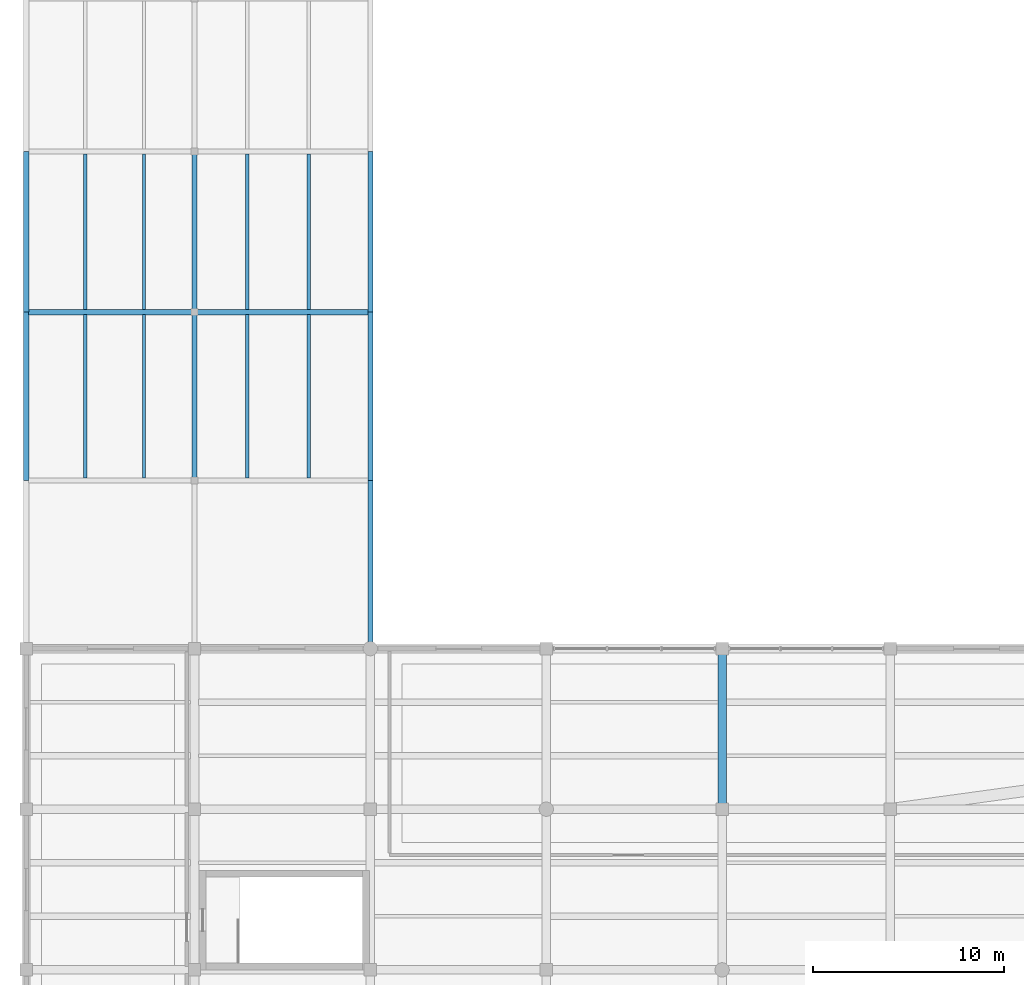
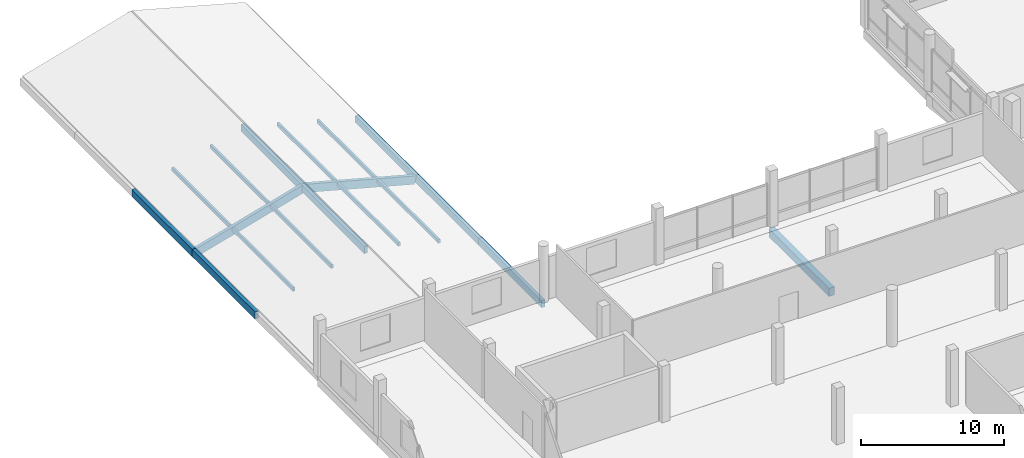
# One storey, part 27 of 71: 10 beams, 8 members.
"""IFC4 building model written with IfcOpenShell, lengths in metres."""

from ifc_helpers import new_model, si_unit, direction, frame, origin, origin_2d, place, context, subcontext, project, spatial, rectangle, extrude, material, material_profile, profile_set, type_object, element, save


model = new_model("IFC4")

# Units and contexts
model_context = context("Model", 3, precision=1e-05, world=origin(), true_north=direction((0.0, 1.0)))
body_context = subcontext(model_context, "Body", "Model", "MODEL_VIEW")
ifc_project = project(units=[si_unit("LENGTHUNIT", "METRE"), si_unit("AREAUNIT", "SQUARE_METRE"), si_unit("VOLUMEUNIT", "CUBIC_METRE"), si_unit("PLANEANGLEUNIT", "RADIAN"), si_unit("MASSUNIT", "GRAM", prefix="KILO")], contexts=[model_context])

# Site, building, storey
site_placement = place(None, origin())
site = spatial("IfcSite", under=ifc_project, at=site_placement, CompositionType="ELEMENT")
building_placement = place(site_placement, origin())
building = spatial("IfcBuilding", under=site, at=building_placement, Name="Meriwether Solvik Hall", CompositionType="ELEMENT")
storey_placement = place(building_placement, frame((0.0, 0.0, 5.10009765625)))
storey = spatial("IfcBuildingStorey", under=building, at=storey_placement, Name="L01", CompositionType="ELEMENT", Elevation=5.10009765625)

# Beams
ifc_material_1 = material(Name="Glulam Douglas-Fir 24F-V8 GL28h", Category="wood")
ifc_material_profile_1 = material_profile(ifc_material_1, rectangle(XDim=0.27294921875, YDim=0.610107421875, at=origin_2d()), Name="GLB-273X610")
ifc_profile_set_1 = profile_set([ifc_material_profile_1], Name="Glulam Douglas-Fir 24F-V8 GL28h")
beam_type_1 = type_object("IfcBeamType", Name="BM-GL-273X610", PredefinedType="SPANDREL", material=ifc_profile_set_1)
beam_1_placement = place(storey_placement, frame((5.199951171875, 84.0, -0.32421875), z_axis=(0.0, 1.0, 0.0), x_axis=(-1.0, 0.0, 0.0)))
element("IfcBeam", 1, at=beam_1_placement, inside=storey, type_object=beam_type_1, Name="Roof Tie Beam 1:J-K (L01)", PredefinedType="SPANDREL", context=body_context, shape_type="SweptSolid", body=[
    extrude(rectangle(XDim=0.27294921875, YDim=0.610107421875, at=origin_2d()), origin(), (0.0, 0.0, 1.0), 8.800048828125),
])
beam_2_placement = place(storey_placement, frame((5.199951171875, 92.800048828125, -0.32421875), z_axis=(0.0, 1.0, 0.0), x_axis=(-1.0, 0.0, 0.0)))
element("IfcBeam", 2, at=beam_2_placement, inside=storey, type_object=beam_type_1, Name="Roof Tie Beam 1:K-L (L01)", PredefinedType="SPANDREL", context=body_context, shape_type="SweptSolid", body=[
    extrude(rectangle(XDim=0.27294921875, YDim=0.610107421875, at=origin_2d()), origin(), (0.0, 0.0, 1.0), 8.39990234375),
])
beam_3_placement = place(storey_placement, frame((14.0, 84.0, 2.15576171875), z_axis=(0.0, 1.0, 0.0), x_axis=(-1.0, 0.0, 0.0)))
element("IfcBeam", 3, at=beam_3_placement, inside=storey, type_object=beam_type_1, Name="Roof Tie Beam 2:J-K (L01)", PredefinedType="SPANDREL", context=body_context, shape_type="SweptSolid", body=[
    extrude(rectangle(XDim=0.27294921875, YDim=0.610107421875, at=origin_2d()), origin(), (0.0, 0.0, 1.0), 8.800048828125),
])
beam_4_placement = place(storey_placement, frame((14.0, 92.800048828125, 2.15576171875), z_axis=(0.0, 1.0, 0.0), x_axis=(-1.0, 0.0, 0.0)))
element("IfcBeam", 4, at=beam_4_placement, inside=storey, type_object=beam_type_1, Name="Roof Tie Beam 2:K-L (L01)", PredefinedType="SPANDREL", context=body_context, shape_type="SweptSolid", body=[
    extrude(rectangle(XDim=0.27294921875, YDim=0.610107421875, at=origin_2d()), origin(), (0.0, 0.0, 1.0), 8.39990234375),
])
for number, where, z_axis, x_axis, name in (
    (5, (23.199951171875, 75.199951171875, -0.32373046875), (0.0, 1.0, 0.0), (-1.0, 0.0, 0.0), "Roof Tie Beam 3:I-J (L01)"),
    (6, (23.199951171875, 84.0, -0.32373046875), (0.0, 1.0, 0.0), (-1.0, 0.0, 0.0), "Roof Tie Beam 3:J-K (L01)"),
):
    element("IfcBeam", number, at=place(storey_placement, frame(where, z_axis=z_axis, x_axis=x_axis)), inside=storey, type_object=beam_type_1, Name=name, PredefinedType="SPANDREL", context=body_context, shape_type="SweptSolid", body=[
        extrude(rectangle(XDim=0.27294921875, YDim=0.610107421875, at=origin_2d()), origin(), (0.0, 0.0, 1.0), 8.800048828125),
    ])
beam_5_placement = place(storey_placement, frame((23.199951171875, 92.800048828125, -0.32373046875), z_axis=(0.0, 1.0, 0.0), x_axis=(-1.0, 0.0, 0.0)))
element("IfcBeam", 7, at=beam_5_placement, inside=storey, type_object=beam_type_1, Name="Roof Tie Beam 3:K-L (L01)", PredefinedType="SPANDREL", context=body_context, shape_type="SweptSolid", body=[
    extrude(rectangle(XDim=0.27294921875, YDim=0.610107421875, at=origin_2d()), origin(), (0.0, 0.0, 1.0), 8.39990234375),
])
ifc_material_2 = material(Name="Glulam Douglas-Fir 24F-V8 GL28h", Category="wood")
ifc_material_profile_2 = material_profile(ifc_material_2, rectangle(XDim=0.27294921875, YDim=0.68505859375, at=origin_2d()), Name="GLB-273X685")
ifc_profile_set_2 = profile_set([ifc_material_profile_2], Name="Glulam Douglas-Fir 24F-V8 GL28h")
beam_type_2 = type_object("IfcBeamType", Name="BM-GL-273X685", PredefinedType="BEAM", material=ifc_profile_set_2)
beam_6_placement = place(storey_placement, frame((5.4208984375, 92.800048828125, -0.31298828125), z_axis=(0.962504746474, 0.0, 0.271264839252), x_axis=(0.0, 1.0, 0.0)))
element("IfcBeam", 8, at=beam_6_placement, inside=storey, type_object=beam_type_2, Name="Raking Glulam Roof Rafter w0_gbl_w-K (L01)", PredefinedType="BEAM", context=body_context, shape_type="SweptSolid", body=[
    extrude(rectangle(XDim=0.27294921875, YDim=0.68505859375, at=origin_2d()), origin(), (0.0, 0.0, 1.0), 8.876708984375),
])
beam_7_placement = place(storey_placement, frame((22.98291015625, 92.800048828125, -0.31494140625), z_axis=(-0.965538102736, 0.0, 0.260261737806), x_axis=(0.0, -1.0, 0.0)))
element("IfcBeam", 9, at=beam_7_placement, inside=storey, type_object=beam_type_2, Name="Raking Glulam Roof Rafter w0_gbl_e-K (L01)", PredefinedType="BEAM", context=body_context, shape_type="SweptSolid", body=[
    extrude(rectangle(XDim=0.27294921875, YDim=0.68505859375, at=origin_2d()), origin(), (0.0, 0.0, 1.0), 9.263427734375),
])
ifc_material_3 = material(Name="Concrete C40/50", Category="concrete")
ifc_material_profile_3 = material_profile(ifc_material_3, rectangle(XDim=0.449951171875, YDim=0.699951171875, at=origin_2d()), Name="RCB-450X700")
ifc_profile_set_3 = profile_set([ifc_material_profile_3], Name="Concrete C40/50")
beam_type_3 = type_object("IfcBeamType", Name="BM-RC-450X700", PredefinedType="BEAM", material=ifc_profile_set_3)
beam_8_placement = place(storey_placement, frame((41.60009765625, 66.800048828125, -0.650146484375), z_axis=(0.0, 1.0, 0.0), x_axis=(-1.0, 0.0, 0.0)))
element("IfcBeam", 10, at=beam_8_placement, inside=storey, type_object=beam_type_3, Name="Podium Girder 5:H-I (L01)", PredefinedType="BEAM", context=body_context, shape_type="SweptSolid", body=[
    extrude(rectangle(XDim=0.449951171875, YDim=0.699951171875, at=origin_2d()), origin(), (0.0, 0.0, 1.0), 8.39990234375),
])

# Members
ifc_material_4 = material(Name="Glulam Douglas-Fir 24F-V8 GL28h", Category="wood")
ifc_material_profile_4 = material_profile(ifc_material_4, rectangle(XDim=0.175048828125, YDim=0.304931640625, at=origin_2d()), Name="GLM-175X305")
ifc_profile_set_4 = profile_set([ifc_material_profile_4], Name="Glulam Douglas-Fir 24F-V8 GL28h")
member_type = type_object("IfcMemberType", Name="MEM-PRL-GL175", PredefinedType="PURLIN", material=ifc_profile_set_4)
for number, where, z_axis, x_axis, name in (
    (11, (8.280029296875, 84.132568359375, 0.6962890625), (0.0, 1.0, 0.0), (-1.0, 0.0, 0.0), "Sloped Roof Glulam Purlin w0_gbl_w-1.1"),
    (12, (11.360107421875, 84.132568359375, 1.564208984375), (0.0, 1.0, 0.0), (-1.0, 0.0, 0.0), "Sloped Roof Glulam Purlin w0_gbl_w-1.2"),
):
    element("IfcMember", number, at=place(storey_placement, frame(where, z_axis=z_axis, x_axis=x_axis)), inside=storey, type_object=member_type, Name=name, PredefinedType="PURLIN", context=body_context, shape_type="SweptSolid", body=[
        extrude(rectangle(XDim=0.175048828125, YDim=0.304931640625, at=origin_2d()), origin(), (0.0, 0.0, 1.0), 8.534912109375),
    ])
for number, where, z_axis, x_axis, name in (
    (13, (8.280029296875, 92.9326171875, 0.6962890625), (0.0, 1.0, 0.0), (-1.0, 0.0, 0.0), "Sloped Roof Glulam Purlin w0_gbl_w-2.1"),
    (14, (11.360107421875, 92.9326171875, 1.564208984375), (0.0, 1.0, 0.0), (-1.0, 0.0, 0.0), "Sloped Roof Glulam Purlin w0_gbl_w-2.2"),
):
    element("IfcMember", number, at=place(storey_placement, frame(where, z_axis=z_axis, x_axis=x_axis)), inside=storey, type_object=member_type, Name=name, PredefinedType="PURLIN", context=body_context, shape_type="SweptSolid", body=[
        extrude(rectangle(XDim=0.175048828125, YDim=0.304931640625, at=origin_2d()), origin(), (0.0, 0.0, 1.0), 8.134765625),
    ])
for number, where, z_axis, x_axis, name in (
    (15, (19.97998046875, 84.132568359375, 0.69677734375), (0.0, 1.0, 0.0), (-1.0, 0.0, 0.0), "Sloped Roof Glulam Purlin w0_gbl_e-1.1"),
    (16, (16.760009765625, 84.132568359375, 1.564697265625), (0.0, 1.0, 0.0), (-1.0, 0.0, 0.0), "Sloped Roof Glulam Purlin w0_gbl_e-1.2"),
):
    element("IfcMember", number, at=place(storey_placement, frame(where, z_axis=z_axis, x_axis=x_axis)), inside=storey, type_object=member_type, Name=name, PredefinedType="PURLIN", context=body_context, shape_type="SweptSolid", body=[
        extrude(rectangle(XDim=0.175048828125, YDim=0.304931640625, at=origin_2d()), origin(), (0.0, 0.0, 1.0), 8.534912109375),
    ])
for number, where, z_axis, x_axis, name in (
    (17, (19.97998046875, 92.9326171875, 0.69677734375), (0.0, 1.0, 0.0), (-1.0, 0.0, 0.0), "Sloped Roof Glulam Purlin w0_gbl_e-2.1"),
    (18, (16.760009765625, 92.9326171875, 1.564697265625), (0.0, 1.0, 0.0), (-1.0, 0.0, 0.0), "Sloped Roof Glulam Purlin w0_gbl_e-2.2"),
):
    element("IfcMember", number, at=place(storey_placement, frame(where, z_axis=z_axis, x_axis=x_axis)), inside=storey, type_object=member_type, Name=name, PredefinedType="PURLIN", context=body_context, shape_type="SweptSolid", body=[
        extrude(rectangle(XDim=0.175048828125, YDim=0.304931640625, at=origin_2d()), origin(), (0.0, 0.0, 1.0), 8.134765625),
    ])

save(model, "model.ifc")
